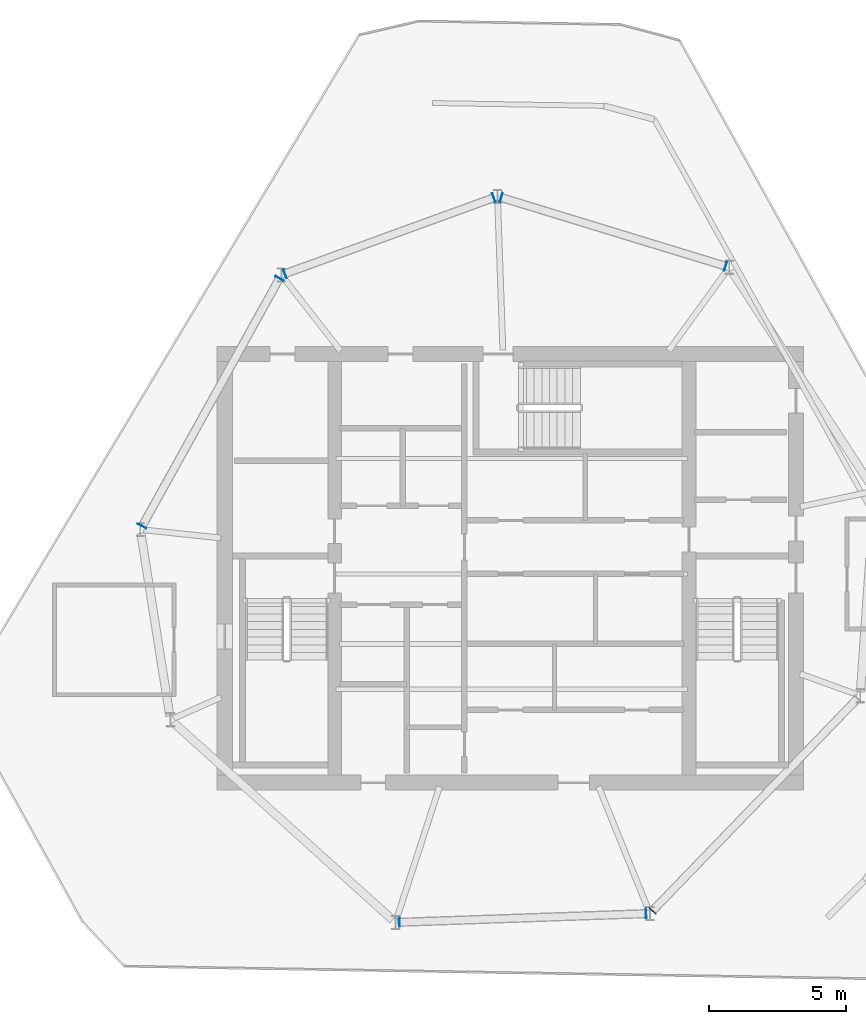
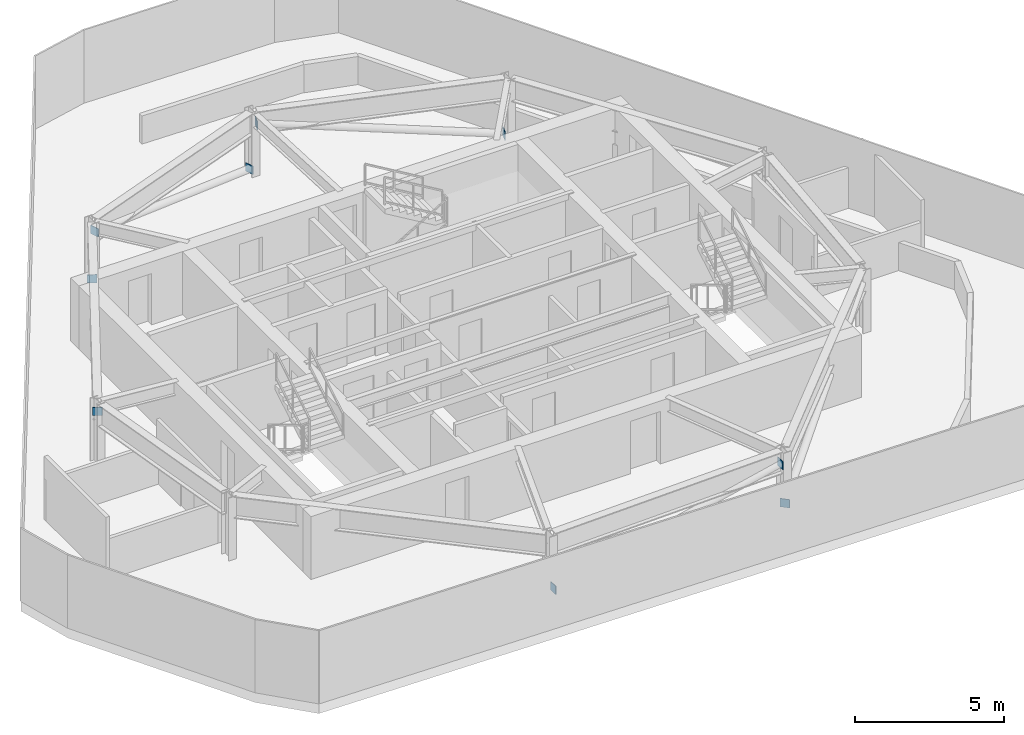
# One storey, part 2 of 6: 9 plates.
"""IFC4 building model written with IfcOpenShell, lengths in metres."""

from ifc_helpers import new_model, si_unit, direction, frame, origin, origin_2d, place, context, subcontext, project, spatial, rectangle, extrude, material, layer, layer_set, type_object, element, save


model = new_model("IFC4")

# Units and contexts
model_context = context("Model", 3, precision=1e-05, world=origin(), true_north=direction((0.0, 1.0)))
body_context = subcontext(model_context, "Body", "Model", "MODEL_VIEW")
ifc_project = project(units=[si_unit("LENGTHUNIT", "METRE"), si_unit("AREAUNIT", "SQUARE_METRE"), si_unit("VOLUMEUNIT", "CUBIC_METRE"), si_unit("PLANEANGLEUNIT", "RADIAN"), si_unit("MASSUNIT", "GRAM", prefix="KILO")], contexts=[model_context])

# Site, building, storey
site_placement = place(None, origin())
site = spatial("IfcSite", under=ifc_project, at=site_placement, CompositionType="ELEMENT")
building_placement = place(site_placement, origin())
building = spatial("IfcBuilding", under=site, at=building_placement, Name="Qarnah Convention Tower", CompositionType="ELEMENT")
storey_placement = place(building_placement, frame((0.0, 0.0, 289.89990234375)))
storey = spatial("IfcBuildingStorey", under=building, at=storey_placement, Name="L78", CompositionType="ELEMENT", Elevation=289.89990234375)

# Plates
ifc_material = material(Name="Structural steel S355JR", Category="steel")
ifc_layer = layer(ifc_material, 0.028076171875)
ifc_layer_set = layer_set([ifc_layer], Name="Structural steel S355JR")
plate_type = type_object("IfcPlateType", Name="PLT-FLANGE-28", PredefinedType="USERDEFINED", material=ifc_layer_set)
for number, where, z_axis, x_axis, name in (
    (1, (45.030029296875, 37.403076171875, 0.080078125), (0.0, 0.0, 1.0), (-0.956288935732, 0.292423445361, 0.0), "L78 crown brace end cap plate 02.1"),
    (2, (36.861083984375, 39.90087890625, 1.85986328125), (0.0, 0.0, 1.0), (-0.956288935732, 0.292423445361, 0.0), "L78 crown brace end cap plate 02.2"),
    (3, (36.594970703125, 39.89404296875, 0.080078125), (0.0, 0.0, 1.0), (-0.939692620786, -0.342020143326, 0.0), "L78 crown brace end cap plate 03.1"),
    (4, (28.989990234375, 37.1259765625, 1.85986328125), (0.0, 0.0, 1.0), (-0.939692620786, -0.342020143326, 0.0), "L78 crown brace end cap plate 03.2"),
    (5, (28.7900390625, 36.9560546875, 0.080078125), (0.0, 0.0, 1.0), (-0.484753138759, -0.874651012955, 0.0), "L78 crown brace end cap plate 04.1"),
    (6, (23.7919921875, 27.93798828125, 1.85986328125), (0.0, 0.0, 1.0), (-0.484753138759, -0.874651012955, 0.0), "L78 crown brace end cap plate 04.2"),
    (7, (33.153076171875, 13.51806640625, 0.080078125), (0.0, 0.0, 1.0), (0.999389608188, 0.034934382002, 0.0), "L78 crown brace end cap plate 07.1"),
    (8, (42.135986328125, 13.83203125, 1.85986328125), (0.0, 0.0, 1.0), (0.999389608188, 0.034934382002, 0.0), "L78 crown brace end cap plate 07.2"),
    (9, (42.373046875, 13.93798828125, 0.080078125), (0.0, 0.0, 1.0), (0.694712354349, 0.719287664787, 0.0), "L78 crown brace end cap plate 08.1"),
):
    element("IfcPlate", number, at=place(storey_placement, frame(where, z_axis=z_axis, x_axis=x_axis)), inside=storey, type_object=plate_type, Name=name, ObjectType="FLANGE_PLATE", PredefinedType="USERDEFINED", context=body_context, shape_type="SweptSolid", body=[
        extrude(rectangle(XDim=0.028076171875, YDim=0.340087890625, at=origin_2d()), origin(), (0.0, 0.0, 1.0), 0.340087890625),
    ])

save(model, "model.ifc")
